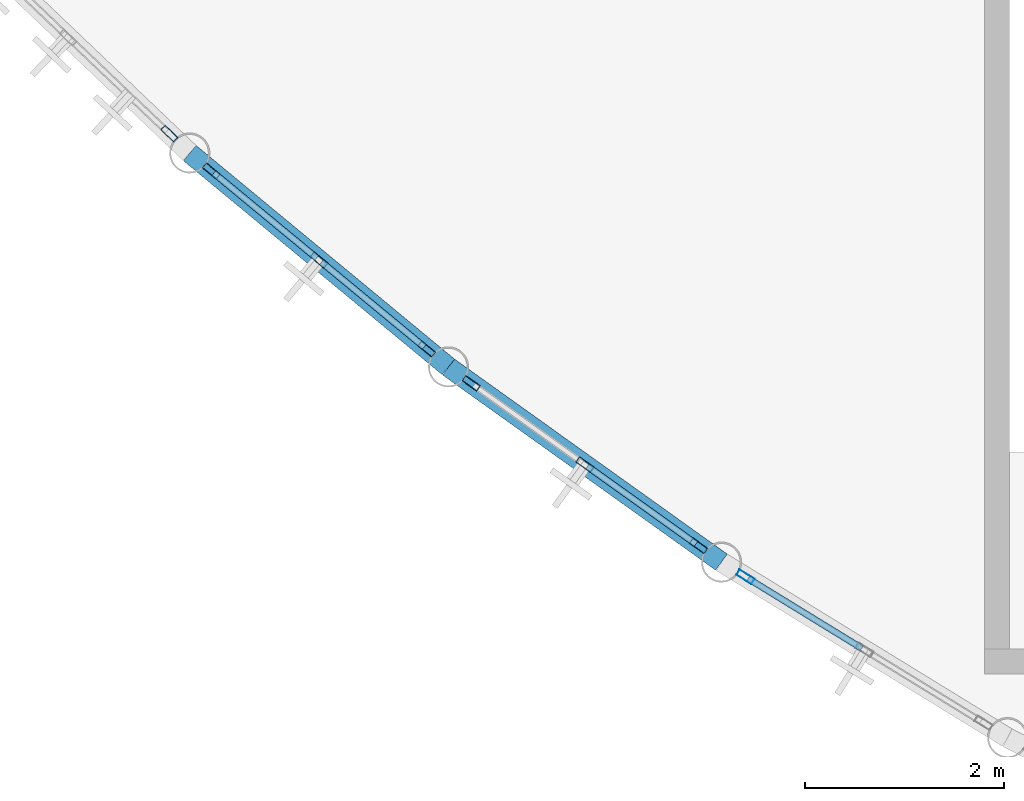
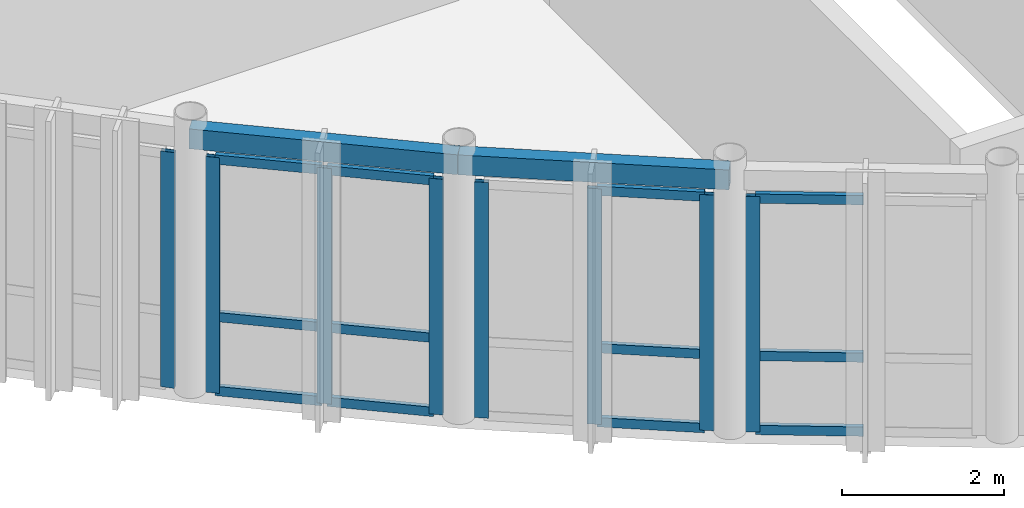
# One storey, part 14 of 54: 20 members, 2 beams, 4 elements without a shape of their own.
"""IFC4 building model written with IfcOpenShell, lengths in metres."""

from ifc_helpers import new_model, si_unit, direction, frame, origin, origin_2d, place, context, subcontext, project, spatial, hollow_rectangle, extrude, material, layer, layer_set, material_profile, profile_set, type_object, element, aggregate, save


model = new_model("IFC4")

# Units and contexts
model_context = context("Model", 3, precision=1e-05, world=origin(), true_north=direction((0.0, 1.0)))
body_context = subcontext(model_context, "Body", "Model", "MODEL_VIEW")
ifc_project = project(units=[si_unit("LENGTHUNIT", "METRE"), si_unit("AREAUNIT", "SQUARE_METRE"), si_unit("VOLUMEUNIT", "CUBIC_METRE"), si_unit("PLANEANGLEUNIT", "RADIAN"), si_unit("MASSUNIT", "GRAM", prefix="KILO")], contexts=[model_context])

# Site, building, storey
site_placement = place(None, origin())
site = spatial("IfcSite", under=ifc_project, at=site_placement, CompositionType="ELEMENT")
building_placement = place(site_placement, origin())
building = spatial("IfcBuilding", under=site, at=building_placement, Name="Selat Folded Stagehouse", CompositionType="ELEMENT")
storey_placement = place(building_placement, frame((0.0, 0.0, 15.0)))
storey = spatial("IfcBuildingStorey", under=building, at=storey_placement, Name="L03", CompositionType="ELEMENT", Elevation=15.0)

# Curtain wall, member
ifc_material_1 = material(Name="Aluminium 6063-T6", Category="aluminium")
ifc_layer = layer(ifc_material_1, 0.18505859375)
ifc_layer_set = layer_set([ifc_layer], Name="Aluminium 6063-T6")
curtain_wall_type = type_object("IfcCurtainWallType", Name="CW-DRM-UPPER", PredefinedType="NOTDEFINED", material=ifc_layer_set)
curtain_wall_1_placement = place(storey_placement, origin())
curtain_wall_1 = element("IfcCurtainWall", 1, at=curtain_wall_1_placement, inside=storey, type_object=curtain_wall_type, Name="L03 curtain wall CW-DRM-L03-13", PredefinedType="NOTDEFINED")
ifc_material_profile_1 = material_profile(ifc_material_1, hollow_rectangle(XDim=0.06494140625, YDim=0.179931640625, WallThickness=0.00390625, at=origin_2d()), Name="ALU 180x65x4.0")
ifc_profile_set_1 = profile_set([ifc_material_profile_1], Name="Aluminium 6063-T6")
member_type_1 = type_object("IfcMemberType", Name="CWM-MUL-180x65", PredefinedType="MULLION", material=ifc_profile_set_1)
member_1_placement = place(storey_placement, frame((15.932373046875, 12.295654296875, 0.0), z_axis=(0.0, 0.0, 1.0), x_axis=(-0.689661264636, -0.724132128869, 0.0)))
member_1 = element("IfcMember", 2, at=member_1_placement, type_object=member_type_1, Name="CW-03 mullion 1", PredefinedType="MULLION", context=body_context, shape_type="SweptSolid", body=[
    extrude(hollow_rectangle(XDim=0.06494140625, YDim=0.179931640625, WallThickness=0.00390625, at=origin_2d()), origin(), (0.0, 0.0, 1.0), 3.56005859375),
])
aggregate(curtain_wall_1, [member_1])

# Curtain wall, members
curtain_wall_2_placement = place(storey_placement, origin())
curtain_wall_2 = element("IfcCurtainWall", 3, at=curtain_wall_2_placement, inside=storey, type_object=curtain_wall_type, Name="L03 curtain wall CW-DRM-L03-14", PredefinedType="NOTDEFINED")
member_2_placement = place(storey_placement, frame((18.515869140625, 10.13427734375, 0.0), z_axis=(0.0, 0.0, 1.0), x_axis=(-0.637141737734, -0.770746654899, 0.0)))
member_2 = element("IfcMember", 4, at=member_2_placement, type_object=member_type_1, Name="CW-03 mullion 1", PredefinedType="MULLION", context=body_context, shape_type="SweptSolid", body=[
    extrude(hollow_rectangle(XDim=0.06494140625, YDim=0.179931640625, WallThickness=0.00390625, at=origin_2d()), origin(), (0.0, 0.0, 1.0), 3.56005859375),
])
member_3_placement = place(storey_placement, frame((17.435302734375, 11.027587890625, 0.0), z_axis=(0.0, 0.0, 1.0), x_axis=(-0.637141737734, -0.770746654899, 0.0)))
member_3 = element("IfcMember", 5, at=member_3_placement, type_object=member_type_1, Name="CW-03 mullion 2", PredefinedType="MULLION", context=body_context, shape_type="SweptSolid", body=[
    extrude(hollow_rectangle(XDim=0.06494140625, YDim=0.179931640625, WallThickness=0.00390625, at=origin_2d()), origin(), (0.0, 0.0, 1.0), 3.56005859375),
])
member_4_placement = place(storey_placement, frame((16.354736328125, 11.9208984375, 0.0), z_axis=(0.0, 0.0, 1.0), x_axis=(-0.637141737734, -0.770746654899, 0.0)))
member_4 = element("IfcMember", 6, at=member_4_placement, type_object=member_type_1, Name="CW-03 mullion 3", PredefinedType="MULLION", context=body_context, shape_type="SweptSolid", body=[
    extrude(hollow_rectangle(XDim=0.06494140625, YDim=0.179931640625, WallThickness=0.00390625, at=origin_2d()), origin(), (0.0, 0.0, 1.0), 3.56005859375),
])

curtain_wall_3_placement = place(storey_placement, origin())
curtain_wall_3 = element("IfcCurtainWall", 7, at=curtain_wall_3_placement, inside=storey, type_object=curtain_wall_type, Name="L03 curtain wall CW-DRM-L03-15", PredefinedType="NOTDEFINED")
member_5_placement = place(storey_placement, frame((21.24462890625, 8.159423828125, 0.0), z_axis=(0.0, 0.0, 1.0), x_axis=(-0.581528304836, -0.813526170861, 0.0)))
member_5 = element("IfcMember", 8, at=member_5_placement, type_object=member_type_1, Name="CW-03 mullion 1", PredefinedType="MULLION", context=body_context, shape_type="SweptSolid", body=[
    extrude(hollow_rectangle(XDim=0.06494140625, YDim=0.179931640625, WallThickness=0.00390625, at=origin_2d()), origin(), (0.0, 0.0, 1.0), 3.56005859375),
])
member_6_placement = place(storey_placement, frame((20.10400390625, 8.974609375, 0.0), z_axis=(0.0, 0.0, 1.0), x_axis=(-0.581528304836, -0.813526170861, 0.0)))
member_6 = element("IfcMember", 9, at=member_6_placement, type_object=member_type_1, Name="CW-03 mullion 2", PredefinedType="MULLION", context=body_context, shape_type="SweptSolid", body=[
    extrude(hollow_rectangle(XDim=0.06494140625, YDim=0.179931640625, WallThickness=0.00390625, at=origin_2d()), origin(), (0.0, 0.0, 1.0), 3.56005859375),
])
member_7_placement = place(storey_placement, frame((18.96337890625, 9.7900390625, 0.0), z_axis=(0.0, 0.0, 1.0), x_axis=(-0.581528304836, -0.813526170861, 0.0)))
member_7 = element("IfcMember", 10, at=member_7_placement, type_object=member_type_1, Name="CW-03 mullion 3", PredefinedType="MULLION", context=body_context, shape_type="SweptSolid", body=[
    extrude(hollow_rectangle(XDim=0.06494140625, YDim=0.179931640625, WallThickness=0.00390625, at=origin_2d()), origin(), (0.0, 0.0, 1.0), 3.56005859375),
])

# Curtain wall, member
curtain_wall_4_placement = place(storey_placement, origin())
curtain_wall_4 = element("IfcCurtainWall", 11, at=curtain_wall_4_placement, inside=storey, type_object=curtain_wall_type, Name="L03 curtain wall CW-DRM-L03-16", PredefinedType="NOTDEFINED")
member_8_placement = place(storey_placement, frame((21.715087890625, 7.847412109375, 0.0), z_axis=(0.0, 0.0, 1.0), x_axis=(-0.523025427755, -0.852317078277, 0.0)))
member_8 = element("IfcMember", 12, at=member_8_placement, type_object=member_type_1, Name="CW-03 mullion 3", PredefinedType="MULLION", context=body_context, shape_type="SweptSolid", body=[
    extrude(hollow_rectangle(XDim=0.06494140625, YDim=0.179931640625, WallThickness=0.00390625, at=origin_2d()), origin(), (0.0, 0.0, 1.0), 3.56005859375),
])

# Member
ifc_material_profile_2 = material_profile(ifc_material_1, hollow_rectangle(XDim=0.06494140625, YDim=0.139892578125, WallThickness=0.00390625, at=origin_2d()), Name="ALU 140x65x4.0")
ifc_profile_set_2 = profile_set([ifc_material_profile_2], Name="Aluminium 6063-T6")
member_type_2 = type_object("IfcMemberType", Name="CWM-TRN-140x65", PredefinedType="USERDEFINED", material=ifc_profile_set_2)
member_9_placement = place(storey_placement, frame((18.49072265625, 10.155029296875, 0.032470703125), z_axis=(-0.770700463685, 0.637197610852, 0.0), x_axis=(-0.637197610852, -0.770700463685, 0.0)))
member_9 = element("IfcMember", 13, at=member_9_placement, type_object=member_type_2, Name="CW-03 transom 1.1", ObjectType="TRANSOM", PredefinedType="USERDEFINED", context=body_context, shape_type="SweptSolid", body=[
    extrude(hollow_rectangle(XDim=0.06494140625, YDim=0.139892578125, WallThickness=0.00390625, at=origin_2d()), origin(), (0.0, 0.0, 1.0), 1.3369140625),
])

member_10_placement = place(storey_placement, frame((18.49072265625, 10.155029296875, 1.14990234375), z_axis=(-0.770700463685, 0.637197610852, 0.0), x_axis=(-0.637197610852, -0.770700463685, 0.0)))
member_10 = element("IfcMember", 14, at=member_10_placement, type_object=member_type_2, Name="CW-03 transom 1.2", ObjectType="TRANSOM", PredefinedType="USERDEFINED", context=body_context, shape_type="SweptSolid", body=[
    extrude(hollow_rectangle(XDim=0.06494140625, YDim=0.139892578125, WallThickness=0.00390625, at=origin_2d()), origin(), (0.0, 0.0, 1.0), 1.3369140625),
])

member_11_placement = place(storey_placement, frame((18.49072265625, 10.155029296875, 3.527587890625), z_axis=(-0.770700463685, 0.637197610852, 0.0), x_axis=(-0.637197610852, -0.770700463685, 0.0)))
member_11 = element("IfcMember", 15, at=member_11_placement, type_object=member_type_2, Name="CW-03 transom 1.3", ObjectType="TRANSOM", PredefinedType="USERDEFINED", context=body_context, shape_type="SweptSolid", body=[
    extrude(hollow_rectangle(XDim=0.06494140625, YDim=0.139892578125, WallThickness=0.00390625, at=origin_2d()), origin(), (0.0, 0.0, 1.0), 1.3369140625),
])

member_12_placement = place(storey_placement, frame((17.41015625, 11.04833984375, 0.032470703125), z_axis=(-0.770700463685, 0.637197610852, 0.0), x_axis=(-0.637197610852, -0.770700463685, 0.0)))
member_12 = element("IfcMember", 16, at=member_12_placement, type_object=member_type_2, Name="CW-03 transom 2.1", ObjectType="TRANSOM", PredefinedType="USERDEFINED", context=body_context, shape_type="SweptSolid", body=[
    extrude(hollow_rectangle(XDim=0.06494140625, YDim=0.139892578125, WallThickness=0.00390625, at=origin_2d()), origin(), (0.0, 0.0, 1.0), 1.3369140625),
])

member_13_placement = place(storey_placement, frame((17.41015625, 11.04833984375, 1.14990234375), z_axis=(-0.770700463685, 0.637197610852, 0.0), x_axis=(-0.637197610852, -0.770700463685, 0.0)))
member_13 = element("IfcMember", 17, at=member_13_placement, type_object=member_type_2, Name="CW-03 transom 2.2", ObjectType="TRANSOM", PredefinedType="USERDEFINED", context=body_context, shape_type="SweptSolid", body=[
    extrude(hollow_rectangle(XDim=0.06494140625, YDim=0.139892578125, WallThickness=0.00390625, at=origin_2d()), origin(), (0.0, 0.0, 1.0), 1.3369140625),
])

member_14_placement = place(storey_placement, frame((17.41015625, 11.04833984375, 3.527587890625), z_axis=(-0.770700463685, 0.637197610852, 0.0), x_axis=(-0.637197610852, -0.770700463685, 0.0)))
member_14 = element("IfcMember", 18, at=member_14_placement, type_object=member_type_2, Name="CW-03 transom 2.3", ObjectType="TRANSOM", PredefinedType="USERDEFINED", context=body_context, shape_type="SweptSolid", body=[
    extrude(hollow_rectangle(XDim=0.06494140625, YDim=0.139892578125, WallThickness=0.00390625, at=origin_2d()), origin(), (0.0, 0.0, 1.0), 1.3369140625),
])

aggregate(curtain_wall_2, [member_2, member_3, member_4, member_9, member_10, member_11, member_12, member_13, member_14])

member_15_placement = place(storey_placement, frame((21.218017578125, 8.17822265625, 0.032470703125), z_axis=(-0.813486640015, 0.581583602345, 0.0), x_axis=(-0.581583602345, -0.813486640015, 0.0)))
member_15 = element("IfcMember", 19, at=member_15_placement, type_object=member_type_2, Name="CW-03 transom 1.1", ObjectType="TRANSOM", PredefinedType="USERDEFINED", context=body_context, shape_type="SweptSolid", body=[
    extrude(hollow_rectangle(XDim=0.06494140625, YDim=0.139892578125, WallThickness=0.00390625, at=origin_2d()), origin(), (0.0, 0.0, 1.0), 1.3369140625),
])

member_16_placement = place(storey_placement, frame((21.218017578125, 8.17822265625, 1.14990234375), z_axis=(-0.813486640015, 0.581583602345, 0.0), x_axis=(-0.581583602345, -0.813486640015, 0.0)))
member_16 = element("IfcMember", 20, at=member_16_placement, type_object=member_type_2, Name="CW-03 transom 1.2", ObjectType="TRANSOM", PredefinedType="USERDEFINED", context=body_context, shape_type="SweptSolid", body=[
    extrude(hollow_rectangle(XDim=0.06494140625, YDim=0.139892578125, WallThickness=0.00390625, at=origin_2d()), origin(), (0.0, 0.0, 1.0), 1.3369140625),
])

member_17_placement = place(storey_placement, frame((21.218017578125, 8.17822265625, 3.527587890625), z_axis=(-0.813486640015, 0.581583602345, 0.0), x_axis=(-0.581583602345, -0.813486640015, 0.0)))
member_17 = element("IfcMember", 21, at=member_17_placement, type_object=member_type_2, Name="CW-03 transom 1.3", ObjectType="TRANSOM", PredefinedType="USERDEFINED", context=body_context, shape_type="SweptSolid", body=[
    extrude(hollow_rectangle(XDim=0.06494140625, YDim=0.139892578125, WallThickness=0.00390625, at=origin_2d()), origin(), (0.0, 0.0, 1.0), 1.3369140625),
])

aggregate(curtain_wall_3, [member_5, member_6, member_7, member_15, member_16, member_17])

member_18_placement = place(storey_placement, frame((22.88232421875, 7.131103515625, 0.032470703125), z_axis=(-0.852309776762, 0.523037326044, 0.0), x_axis=(-0.523037326044, -0.852309776762, 0.0)))
member_18 = element("IfcMember", 22, at=member_18_placement, type_object=member_type_2, Name="CW-03 transom 2.1", ObjectType="TRANSOM", PredefinedType="USERDEFINED", context=body_context, shape_type="SweptSolid", body=[
    extrude(hollow_rectangle(XDim=0.06494140625, YDim=0.139892578125, WallThickness=0.00390625, at=origin_2d()), origin(), (0.0, 0.0, 1.0), 1.3369140625),
])

member_19_placement = place(storey_placement, frame((22.88232421875, 7.131103515625, 1.14990234375), z_axis=(-0.852309776762, 0.523037326044, 0.0), x_axis=(-0.523037326044, -0.852309776762, 0.0)))
member_19 = element("IfcMember", 23, at=member_19_placement, type_object=member_type_2, Name="CW-03 transom 2.2", ObjectType="TRANSOM", PredefinedType="USERDEFINED", context=body_context, shape_type="SweptSolid", body=[
    extrude(hollow_rectangle(XDim=0.06494140625, YDim=0.139892578125, WallThickness=0.00390625, at=origin_2d()), origin(), (0.0, 0.0, 1.0), 1.3369140625),
])

member_20_placement = place(storey_placement, frame((22.88232421875, 7.131103515625, 3.527587890625), z_axis=(-0.852309776762, 0.523037326044, 0.0), x_axis=(-0.523037326044, -0.852309776762, 0.0)))
member_20 = element("IfcMember", 24, at=member_20_placement, type_object=member_type_2, Name="CW-03 transom 2.3", ObjectType="TRANSOM", PredefinedType="USERDEFINED", context=body_context, shape_type="SweptSolid", body=[
    extrude(hollow_rectangle(XDim=0.06494140625, YDim=0.139892578125, WallThickness=0.00390625, at=origin_2d()), origin(), (0.0, 0.0, 1.0), 1.3369140625),
])

aggregate(curtain_wall_4, [member_8, member_18, member_19, member_20])

# Beams
ifc_material_2 = material(Name="Steel S355", Category="steel")
ifc_material_profile_3 = material_profile(ifc_material_2, hollow_rectangle(XDim=0.199951171875, YDim=0.300048828125, WallThickness=0.012451171875, at=origin_2d()), Name="RHS 300x200x12.5")
ifc_profile_set_3 = profile_set([ifc_material_profile_3], Name="Steel S355")
beam_type = type_object("IfcBeamType", Name="SPD-RHS-300x200", PredefinedType="SPANDREL", material=ifc_profile_set_3)
for number, where, z_axis, x_axis, name in (
    (25, (16.136962890625, 12.100830078125, 3.85009765625), (0.770757502018, -0.637128615809, 0.0), (0.637128615809, 0.770757502018, 0.0), "L03 curved drum spandrel beam 15"),
    (26, (18.733642578125, 9.954345703125, 3.85009765625), (0.813513074284, -0.581546625791, 0.0), (0.581546625791, 0.813513074284, 0.0), "L03 curved drum spandrel beam 16"),
):
    element("IfcBeam", number, at=place(storey_placement, frame(where, z_axis=z_axis, x_axis=x_axis)), inside=storey, type_object=beam_type, Name=name, PredefinedType="SPANDREL", context=body_context, shape_type="SweptSolid", body=[
        extrude(hollow_rectangle(XDim=0.199951171875, YDim=0.300048828125, WallThickness=0.012451171875, at=origin_2d()), origin(), (0.0, 0.0, 1.0), 3.368896484375),
    ])

save(model, "model.ifc")
